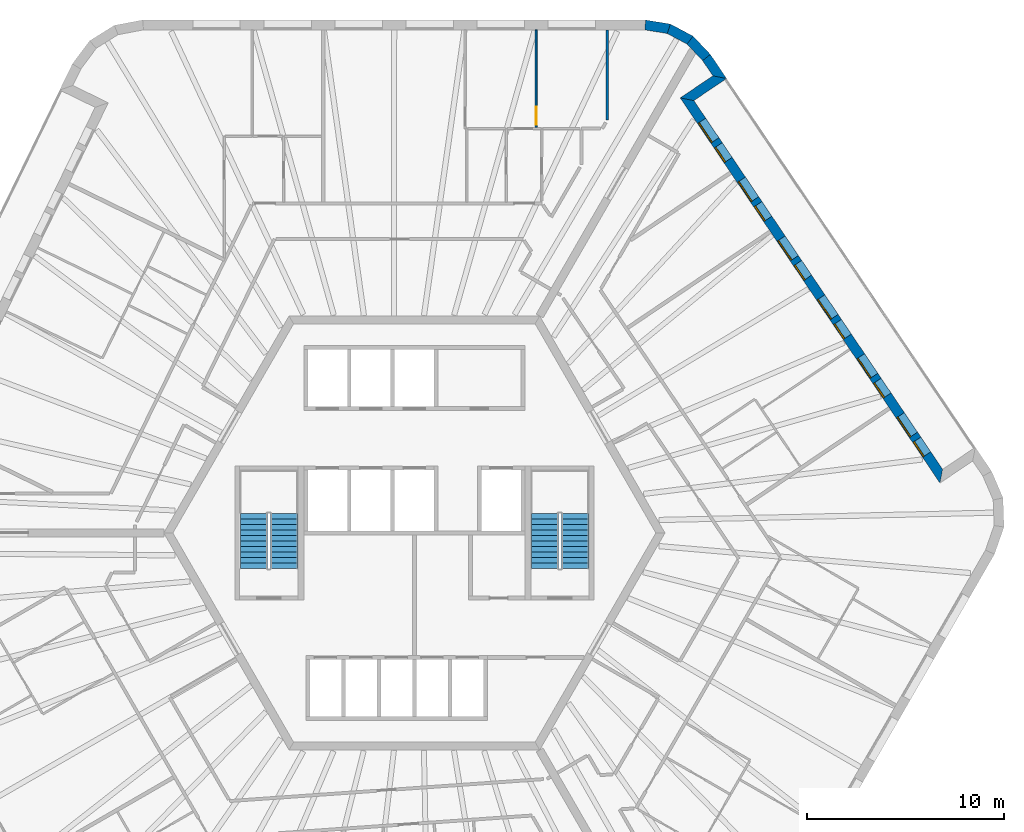
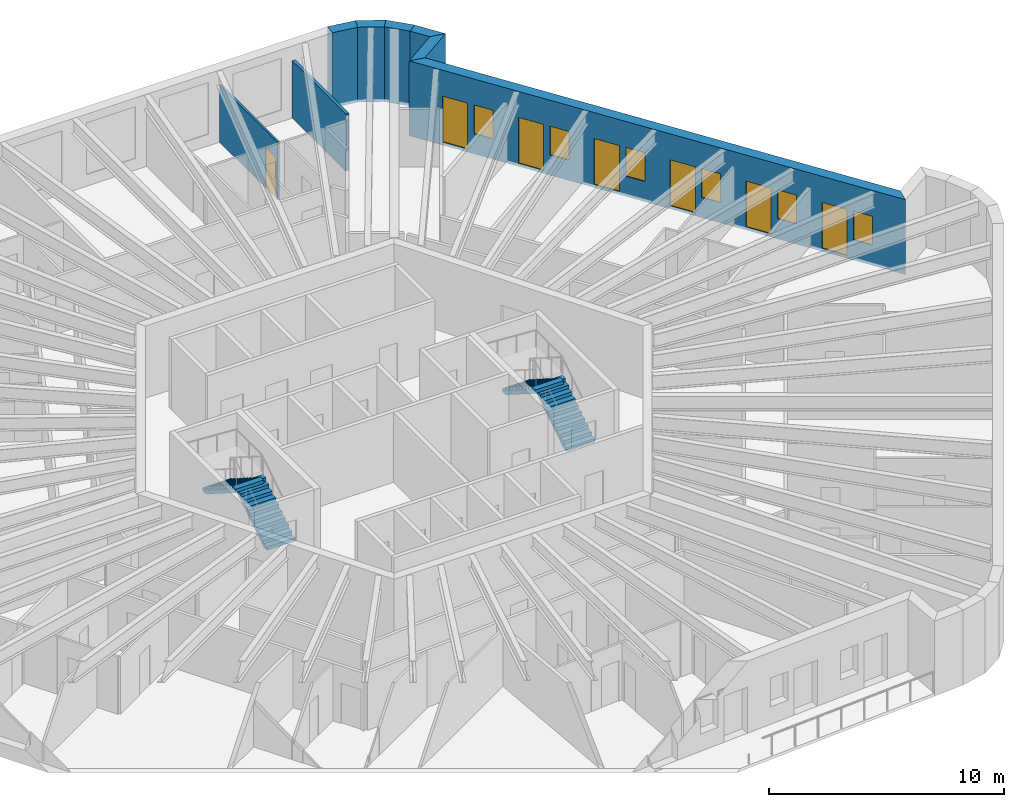
# One storey, part 11 of 12: 8 walls, 7 doors, 6 windows, 4 stair flights, 13 openings, 2 elements without a shape of their own.
"""IFC4 building model written with IfcOpenShell, lengths in metres."""

import ifcopenshell
import ifcopenshell.guid

model = None  # the IFC model being written
_history = None  # IfcOwnerHistory: only IFC2X3 demands one
_inside = {}  # id of a spatial element -> (the spatial element, [elements in it])
_under = {}  # id of a project, library or spatial element -> (it, [spatial elements below it])
_declared = {}  # id of a project -> (the project, [libraries it declares])
_typed = {}  # id of a type object -> (the type object, [elements of that type])
_made_of = {}  # id of a material, layer set ... -> (it, [elements and type objects made of it])


def new_model(schema):
    """Start an empty IFC model of exactly this schema.

    Asked for "IFC4X3", IfcOpenShell would pick the latest addendum, in which some entities
    have other attributes; the version numbers below select the first issue.
    IFC2X3 requires an IfcOwnerHistory on every rooted entity: one is made here for all.
    """
    global model, _history
    if schema == "IFC4X3":
        model = ifcopenshell.file(schema_version=(4, 3, 0, 0))
    else:
        model = ifcopenshell.file(schema=schema)
    _inside.clear()
    _under.clear()
    _declared.clear()
    _typed.clear()
    _made_of.clear()
    _history = None
    if model.schema == "IFC2X3":
        org = make("IfcOrganization", Name="unknown")
        user = make(
            "IfcPersonAndOrganization",
            ThePerson=make("IfcPerson", FamilyName="unknown"),
            TheOrganization=org,
        )
        app = make(
            "IfcApplication",
            ApplicationDeveloper=org,
            Version="unknown",
            ApplicationFullName="unknown",
            ApplicationIdentifier="unknown",
        )
        _history = make(
            "IfcOwnerHistory",
            OwningUser=user,
            OwningApplication=app,
            ChangeAction="ADDED",
            CreationDate=0,
        )
    return model


def make(cls, **values):
    """One entity of the class cls with the attributes given. An attribute that is None is left unset."""
    return model.create_entity(
        cls, **{name: value for name, value in values.items() if value is not None}
    )


def rooted(cls, **values):
    """An entity with a GlobalId (a new one), such as an element, a storey or a relation."""
    return make(cls, GlobalId=ifcopenshell.guid.new(), OwnerHistory=_history, **values)


def si_unit(unit_type, name, prefix=None):
    """IfcSIUnit, for example si_unit("LENGTHUNIT", "METRE", prefix="MILLI")."""
    return make("IfcSIUnit", UnitType=unit_type, Prefix=prefix, Name=name)


def assignment(units):
    """IfcUnitAssignment: the units of a project."""
    return None if units is None else make("IfcUnitAssignment", Units=units)


def point(xyz):
    """IfcCartesianPoint."""
    return None if xyz is None else make("IfcCartesianPoint", Coordinates=xyz)


def direction(xyz):
    """IfcDirection."""
    return None if xyz is None else make("IfcDirection", DirectionRatios=xyz)


def frame(location, z_axis=None, x_axis=None):
    """IfcAxis2Placement3D, a coordinate frame: its origin and axes. An axis left out is left unset."""
    return make(
        "IfcAxis2Placement3D",
        Location=point(location),
        Axis=direction(z_axis),
        RefDirection=direction(x_axis),
    )


def frame_2d(location, x_axis=None):
    """IfcAxis2Placement2D, a coordinate frame in the plane: its origin and x axis."""
    return make(
        "IfcAxis2Placement2D", Location=point(location), RefDirection=direction(x_axis)
    )


def origin():
    """The frame at (0, 0, 0) with its axes left unset."""
    return frame((0.0, 0.0, 0.0))


def place(relative_to, where):
    """IfcLocalPlacement: puts the frame where relative to a parent placement (None: the world)."""
    return make(
        "IfcLocalPlacement", PlacementRelTo=relative_to, RelativePlacement=where
    )


def context(
    kind, dimensions, precision=None, world=None, true_north=None, identifier=None
):
    """IfcGeometricRepresentationContext, for example the 3D "Model" context."""
    return make(
        "IfcGeometricRepresentationContext",
        ContextIdentifier=identifier,
        ContextType=kind,
        CoordinateSpaceDimension=dimensions,
        Precision=precision,
        WorldCoordinateSystem=world,
        TrueNorth=true_north,
    )


def subcontext(parent, identifier, kind, view, scale=None):
    """IfcGeometricRepresentationSubContext, for example "Body" below "Model"."""
    return make(
        "IfcGeometricRepresentationSubContext",
        ContextIdentifier=identifier,
        ContextType=kind,
        ParentContext=parent,
        TargetScale=scale,
        TargetView=view,
    )


def project(units=None, contexts=None):
    """IfcProject with its units and contexts."""
    return rooted(
        "IfcProject",
        Name="project",
        RepresentationContexts=contexts,
        UnitsInContext=assignment(units),
    )


def spatial(cls, under=None, at=None, **own):
    """A site, building, storey or space (cls), placed at a placement, below another one or the project."""
    s = rooted(cls, ObjectPlacement=at, **own)
    if under is not None:
        _under.setdefault(under.id(), (under, []))[1].append(s)
    return s


def polyline(points):
    """IfcPolyline through the points."""
    return make("IfcPolyline", Points=[point(p) for p in points])


def profile(cls, at=None, kind="AREA", **sizes):
    """A parametric profile (cls). Its sizes go by their IFC names, for example OverallWidth=200.0."""
    return make(cls, ProfileType=kind, Position=at, **sizes)


def rectangle(**sizes):
    """IfcRectangleProfileDef."""
    return profile("IfcRectangleProfileDef", **sizes)


def outline(outer, holes=None, kind="AREA"):
    """IfcArbitraryClosedProfileDef: a profile drawn as a closed curve; with holes, ...WithVoids."""
    if holes is None:
        return make("IfcArbitraryClosedProfileDef", ProfileType=kind, OuterCurve=outer)
    return make(
        "IfcArbitraryProfileDefWithVoids",
        ProfileType=kind,
        OuterCurve=outer,
        InnerCurves=holes,
    )


def extrude(swept, where, along, depth):
    """IfcExtrudedAreaSolid: the profile swept, set in the frame where, extruded along a direction by depth."""
    return make(
        "IfcExtrudedAreaSolid",
        SweptArea=swept,
        Position=where,
        ExtrudedDirection=direction(along),
        Depth=depth,
    )


def shape(context_of_items, identifier, shape_type, items):
    """IfcShapeRepresentation: the items that make up one representation, for example the "Body"."""
    return make(
        "IfcShapeRepresentation",
        ContextOfItems=context_of_items,
        RepresentationIdentifier=identifier,
        RepresentationType=shape_type,
        Items=items,
    )


def material(Name=None, Category=None):
    """IfcMaterial."""
    return make("IfcMaterial", Name=Name, Category=Category)


def layer(
    of_material, thickness, ventilated=None, Name=None, Category=None, Priority=None
):
    """IfcMaterialLayer: one layer of a wall or slab, of a material (None: an air gap)."""
    return make(
        "IfcMaterialLayer",
        Material=of_material,
        LayerThickness=thickness,
        IsVentilated=ventilated,
        Name=Name,
        Category=Category,
        Priority=Priority,
    )


def layer_set(layers, Name=None):
    """IfcMaterialLayerSet."""
    return make("IfcMaterialLayerSet", MaterialLayers=layers, LayerSetName=Name)


def made_of(thing, what):
    """Note that an element or type object is made of a material, layer set ...; save() writes the relation."""
    if what is not None:
        _made_of.setdefault(what.id(), (what, []))[1].append(thing)
    return thing


def type_object(cls, material=None, **own):
    """A type object (cls), such as IfcWallType, which elements share."""
    return made_of(rooted(cls, **own), material)


def element(
    cls,
    number,
    at=None,
    inside=None,
    cuts=None,
    type_object=None,
    material=None,
    context=None,
    identifier="Body",
    shape_type=None,
    held_by="IfcProductDefinitionShape",
    body=None,
    shapes=None,
    **own,
):
    """One element of the class cls, such as IfcWall. Its Tag is "e" and its number.

    at: its placement. inside: the storey or other place that contains it. cuts: it is an
    opening in that element (IfcRelVoidsElement). A single representation is given by context,
    identifier, shape_type and body (its items); several are given by shapes. held_by: the class
    of the entity that holds the representations. save() writes the other relations.
    """
    e = rooted(cls, Tag="e%d" % number, ObjectPlacement=at, **own)
    if body is not None:
        shapes = [shape(context, identifier, shape_type, body)]
    if shapes is not None:
        e.Representation = make(held_by, Representations=shapes)
    if inside is not None:
        _inside.setdefault(inside.id(), (inside, []))[1].append(e)
    if cuts is not None:
        rooted(
            "IfcRelVoidsElement", RelatingBuildingElement=cuts, RelatedOpeningElement=e
        )
    if type_object is not None:
        _typed.setdefault(type_object.id(), (type_object, []))[1].append(e)
    return made_of(e, material)


def fill(opening, filler):
    """IfcRelFillsElement: the door or window that sits in an opening."""
    return rooted(
        "IfcRelFillsElement",
        RelatingOpeningElement=opening,
        RelatedBuildingElement=filler,
    )


def aggregate(whole, parts):
    """IfcRelAggregates: a whole, such as a stair, and the parts it consists of."""
    return rooted("IfcRelAggregates", RelatingObject=whole, RelatedObjects=parts)


def save(model, path):
    """Write the relations noted so far, then the file.

    IfcRelAggregates (storeys below a building ...), IfcRelContainedInSpatialStructure (elements
    in a storey), IfcRelDefinesByType, IfcRelAssociatesMaterial and IfcRelDeclares: one each for
    every whole, place, type object, material and project.
    """
    for whole, parts in _under.values():
        aggregate(whole, parts)
    for where, things in _inside.values():
        rooted(
            "IfcRelContainedInSpatialStructure",
            RelatedElements=things,
            RelatingStructure=where,
        )
    for kind, things in _typed.values():
        rooted("IfcRelDefinesByType", RelatedObjects=things, RelatingType=kind)
    for what, things in _made_of.values():
        rooted("IfcRelAssociatesMaterial", RelatedObjects=things, RelatingMaterial=what)
    for by, libraries in _declared.values():
        rooted("IfcRelDeclares", RelatingContext=by, RelatedDefinitions=libraries)
    model.write(path)


model = new_model("IFC4")

# Units and contexts
model_context = context("Model", 3, precision=1e-05, world=origin(), true_north=direction((0.0, 1.0)))
body_context = subcontext(model_context, "Body", "Model", "MODEL_VIEW")
ifc_project = project(units=[si_unit("LENGTHUNIT", "METRE"), si_unit("AREAUNIT", "SQUARE_METRE"), si_unit("VOLUMEUNIT", "CUBIC_METRE"), si_unit("PLANEANGLEUNIT", "RADIAN"), si_unit("MASSUNIT", "GRAM", prefix="KILO")], contexts=[model_context])

# Site, building, storey
site_placement = place(None, origin())
site = spatial("IfcSite", under=ifc_project, at=site_placement, CompositionType="ELEMENT")
building_placement = place(site_placement, origin())
building = spatial("IfcBuilding", under=site, at=building_placement, Name="Tarnside Tower", CompositionType="ELEMENT")
storey_placement = place(building_placement, frame((0.0, 0.0, 322.5)))
storey = spatial("IfcBuildingStorey", under=building, at=storey_placement, Name="L78", CompositionType="ELEMENT", Elevation=322.5)

# Wall
ifc_material_1 = material(Name="Gypsum board partition on steel studs", Category="steel")
ifc_layer_1 = layer(ifc_material_1, 0.14990234375)
ifc_layer_set_1 = layer_set([ifc_layer_1], Name="Corridor wall 150 EI 60")
wall_type_1 = type_object("IfcWallType", Name="Corridor wall 150 EI 60", PredefinedType="PARTITIONING", material=ifc_layer_set_1)
wall_1_placement = place(storey_placement, frame((9.775146484375, 25.5, 0.0), z_axis=(0.0, 0.0, 1.0), x_axis=(0.0, -1.0, 0.0)))
element("IfcWall", 1, at=wall_1_placement, inside=storey, type_object=wall_type_1, Name="Corridor wall 25004", PredefinedType="PARTITIONING", context=body_context, shape_type="SweptSolid", body=[
    extrude(rectangle(XDim=4.56884765625, YDim=0.14990234375, at=frame_2d((2.284423828125, 0.0))), origin(), (0.0, 0.0, 1.0), 2.98779296875),
])

# Wall, openings, doors, windows
ifc_material_2 = material(Name="Dark zinc cladding")
ifc_layer_2 = layer(ifc_material_2, 0.10205078125)
ifc_material_3 = material(Name="Concrete C60/75 precast", Category="concrete")
ifc_layer_3 = layer(ifc_material_3, 0.298095703125)
ifc_material_4 = material(Name="Mineral wool insulation")
ifc_layer_4 = layer(ifc_material_4, 0.10009765625)
ifc_layer_set_2 = layer_set([ifc_layer_2, ifc_layer_3, ifc_layer_4], Name="Loggia wall 500 zinc faced")
wall_type_2 = type_object("IfcWallType", Name="Loggia wall 500 zinc faced", PredefinedType="SOLIDWALL", material=ifc_layer_set_2)
wall_2_placement = place(storey_placement, frame((26.705810546875, 2.87890625, -0.14990234375), z_axis=(0.0, 0.0, 1.0), x_axis=(-0.559197891507, 0.829034208061, 0.0)))
wall_2 = element("IfcWall", 2, at=wall_2_placement, inside=storey, type_object=wall_type_2, Name="Tube wall L78 F6 back 30", PredefinedType="SOLIDWALL", context=body_context, shape_type="SweptSolid", body=[
    extrude(outline(polyline([(0.25, -0.25), (22.794677734375, -0.25), (23.294677734375, 0.25), (-0.25, 0.25), (0.25, -0.25)])), origin(), (0.0, 0.0, 1.0), 3.89990234375),
])
opening_1_placement = place(wall_2_placement, frame((1.322509765625, 0.0, 1.050048828125)))
opening_1 = element("IfcOpeningElement", 3, at=opening_1_placement, cuts=wall_2, Name="Opening WL500", PredefinedType="OPENING", context=body_context, shape_type="SweptSolid", body=[
    extrude(rectangle(XDim=0.89990234375, YDim=1.5, at=frame_2d((0.449951171875, 0.75))), frame((0.0, 0.260009765625, 0.0), z_axis=(0.0, -1.0, 0.0), x_axis=(1.0, 0.0, 0.0)), (0.0, 0.0, 1.0), 0.52001953125),
])
opening_2_placement = place(wall_2_placement, frame((2.5224609375, 0.0, 0.14990234375)))
opening_2 = element("IfcOpeningElement", 4, at=opening_2_placement, cuts=wall_2, Name="Opening DB500", PredefinedType="OPENING", context=body_context, shape_type="SweptSolid", body=[
    extrude(rectangle(XDim=1.199951171875, YDim=2.39990234375, at=frame_2d((0.60009765625, 1.199951171875))), frame((0.0, 0.260009765625, 0.0), z_axis=(0.0, -1.0, 0.0), x_axis=(1.0, 0.0, 0.0)), (0.0, 0.0, 1.0), 0.52001953125),
])
opening_3_placement = place(wall_2_placement, frame((4.92236328125, 0.0, 1.050048828125)))
opening_3 = element("IfcOpeningElement", 5, at=opening_3_placement, cuts=wall_2, Name="Opening WL500", PredefinedType="OPENING", context=body_context, shape_type="SweptSolid", body=[
    extrude(rectangle(XDim=0.89990234375, YDim=1.5, at=frame_2d((0.449951171875, 0.75))), frame((0.0, 0.260009765625, 0.0), z_axis=(0.0, -1.0, 0.0), x_axis=(1.0, 0.0, 0.0)), (0.0, 0.0, 1.0), 0.52001953125),
])
opening_4_placement = place(wall_2_placement, frame((6.122314453125, 0.0, 0.14990234375)))
opening_4 = element("IfcOpeningElement", 6, at=opening_4_placement, cuts=wall_2, Name="Opening DB500", PredefinedType="OPENING", context=body_context, shape_type="SweptSolid", body=[
    extrude(rectangle(XDim=1.199951171875, YDim=2.39990234375, at=frame_2d((0.60009765625, 1.199951171875))), frame((0.0, 0.260009765625, 0.0), z_axis=(0.0, -1.0, 0.0), x_axis=(1.0, 0.0, 0.0)), (0.0, 0.0, 1.0), 0.52001953125),
])
opening_5_placement = place(wall_2_placement, frame((8.5224609375, 0.0, 1.050048828125)))
opening_5 = element("IfcOpeningElement", 7, at=opening_5_placement, cuts=wall_2, Name="Opening WL500", PredefinedType="OPENING", context=body_context, shape_type="SweptSolid", body=[
    extrude(rectangle(XDim=0.89990234375, YDim=1.5, at=frame_2d((0.449951171875, 0.75))), frame((0.0, 0.260009765625, 0.0), z_axis=(0.0, -1.0, 0.0), x_axis=(1.0, 0.0, 0.0)), (0.0, 0.0, 1.0), 0.52001953125),
])
opening_6_placement = place(wall_2_placement, frame((9.722412109375, 0.0, 0.14990234375)))
opening_6 = element("IfcOpeningElement", 8, at=opening_6_placement, cuts=wall_2, Name="Opening DB500", PredefinedType="OPENING", context=body_context, shape_type="SweptSolid", body=[
    extrude(rectangle(XDim=1.199951171875, YDim=2.39990234375, at=frame_2d((0.60009765625, 1.199951171875))), frame((0.0, 0.260009765625, 0.0), z_axis=(0.0, -1.0, 0.0), x_axis=(1.0, 0.0, 0.0)), (0.0, 0.0, 1.0), 0.52001953125),
])
opening_7_placement = place(wall_2_placement, frame((12.122314453125, 0.0, 1.050048828125)))
opening_7 = element("IfcOpeningElement", 9, at=opening_7_placement, cuts=wall_2, Name="Opening WL500", PredefinedType="OPENING", context=body_context, shape_type="SweptSolid", body=[
    extrude(rectangle(XDim=0.89990234375, YDim=1.5, at=frame_2d((0.449951171875, 0.75))), frame((0.0, 0.260009765625, 0.0), z_axis=(0.0, -1.0, 0.0), x_axis=(1.0, 0.0, 0.0)), (0.0, 0.0, 1.0), 0.52001953125),
])
opening_8_placement = place(wall_2_placement, frame((13.322509765625, 0.0, 0.14990234375)))
opening_8 = element("IfcOpeningElement", 10, at=opening_8_placement, cuts=wall_2, Name="Opening DB500", PredefinedType="OPENING", context=body_context, shape_type="SweptSolid", body=[
    extrude(rectangle(XDim=1.199951171875, YDim=2.39990234375, at=frame_2d((0.60009765625, 1.199951171875))), frame((0.0, 0.260009765625, 0.0), z_axis=(0.0, -1.0, 0.0), x_axis=(1.0, 0.0, 0.0)), (0.0, 0.0, 1.0), 0.52001953125),
])
opening_9_placement = place(wall_2_placement, frame((15.722412109375, 0.0, 1.050048828125)))
opening_9 = element("IfcOpeningElement", 11, at=opening_9_placement, cuts=wall_2, Name="Opening WL500", PredefinedType="OPENING", context=body_context, shape_type="SweptSolid", body=[
    extrude(rectangle(XDim=0.89990234375, YDim=1.5, at=frame_2d((0.449951171875, 0.75))), frame((0.0, 0.260009765625, 0.0), z_axis=(0.0, -1.0, 0.0), x_axis=(1.0, 0.0, 0.0)), (0.0, 0.0, 1.0), 0.52001953125),
])
opening_10_placement = place(wall_2_placement, frame((16.92236328125, 0.0, 0.14990234375)))
opening_10 = element("IfcOpeningElement", 12, at=opening_10_placement, cuts=wall_2, Name="Opening DB500", PredefinedType="OPENING", context=body_context, shape_type="SweptSolid", body=[
    extrude(rectangle(XDim=1.199951171875, YDim=2.39990234375, at=frame_2d((0.60009765625, 1.199951171875))), frame((0.0, 0.260009765625, 0.0), z_axis=(0.0, -1.0, 0.0), x_axis=(1.0, 0.0, 0.0)), (0.0, 0.0, 1.0), 0.52001953125),
])
opening_11_placement = place(wall_2_placement, frame((19.322509765625, 0.0, 1.050048828125)))
opening_11 = element("IfcOpeningElement", 13, at=opening_11_placement, cuts=wall_2, Name="Opening WL500", PredefinedType="OPENING", context=body_context, shape_type="SweptSolid", body=[
    extrude(rectangle(XDim=0.89990234375, YDim=1.5, at=frame_2d((0.449951171875, 0.75))), frame((0.0, 0.260009765625, 0.0), z_axis=(0.0, -1.0, 0.0), x_axis=(1.0, 0.0, 0.0)), (0.0, 0.0, 1.0), 0.52001953125),
])
opening_12_placement = place(wall_2_placement, frame((20.5224609375, 0.0, 0.14990234375)))
opening_12 = element("IfcOpeningElement", 14, at=opening_12_placement, cuts=wall_2, Name="Opening DB500", PredefinedType="OPENING", context=body_context, shape_type="SweptSolid", body=[
    extrude(rectangle(XDim=1.199951171875, YDim=2.39990234375, at=frame_2d((0.60009765625, 1.199951171875))), frame((0.0, 0.260009765625, 0.0), z_axis=(0.0, -1.0, 0.0), x_axis=(1.0, 0.0, 0.0)), (0.0, 0.0, 1.0), 0.52001953125),
])
ifc_material_5 = material(Name="Aluminium-framed double glazing", Category="aluminium")
door_type_1 = type_object("IfcDoorType", Name="Balcony sliding door 1200 x 2400 in 500 wall", OperationType="SLIDING_TO_LEFT", PredefinedType="DOOR", material=ifc_material_5)
door_1_placement = place(opening_2_placement, frame((0.0, 0.1748046875, 0.0)))
door_1 = element("IfcDoor", 15, at=door_1_placement, inside=storey, type_object=door_type_1, Name="E.BD.L78.F6.00", OperationType="SLIDING_TO_LEFT", OverallHeight=2.39990234375, OverallWidth=1.199951171875, PredefinedType="DOOR", context=body_context, shape_type="SweptSolid", body=[
    extrude(rectangle(XDim=1.199951171875, YDim=2.39990234375, at=frame_2d((0.60009765625, 1.199951171875))), frame((0.0, 0.02490234375, 0.0), z_axis=(0.0, -1.0, 0.0), x_axis=(1.0, 0.0, 0.0)), (0.0, 0.0, 1.0), 0.050048828125),
])
fill(opening_2, door_1)
door_2_placement = place(opening_4_placement, frame((0.0, 0.1748046875, 0.0)))
door_2 = element("IfcDoor", 16, at=door_2_placement, inside=storey, type_object=door_type_1, Name="E.BD.L78.F6.01", OperationType="SLIDING_TO_LEFT", OverallHeight=2.39990234375, OverallWidth=1.199951171875, PredefinedType="DOOR", context=body_context, shape_type="SweptSolid", body=[
    extrude(rectangle(XDim=1.199951171875, YDim=2.39990234375, at=frame_2d((0.60009765625, 1.199951171875))), frame((0.0, 0.02490234375, 0.0), z_axis=(0.0, -1.0, 0.0), x_axis=(1.0, 0.0, 0.0)), (0.0, 0.0, 1.0), 0.050048828125),
])
fill(opening_4, door_2)
door_3_placement = place(opening_6_placement, frame((0.0, 0.1748046875, 0.0)))
door_3 = element("IfcDoor", 17, at=door_3_placement, inside=storey, type_object=door_type_1, Name="E.BD.L78.F6.02", OperationType="SLIDING_TO_LEFT", OverallHeight=2.39990234375, OverallWidth=1.199951171875, PredefinedType="DOOR", context=body_context, shape_type="SweptSolid", body=[
    extrude(rectangle(XDim=1.199951171875, YDim=2.39990234375, at=frame_2d((0.60009765625, 1.199951171875))), frame((0.0, 0.02490234375, 0.0), z_axis=(0.0, -1.0, 0.0), x_axis=(1.0, 0.0, 0.0)), (0.0, 0.0, 1.0), 0.050048828125),
])
fill(opening_6, door_3)
door_4_placement = place(opening_8_placement, frame((0.0, 0.1748046875, 0.0)))
door_4 = element("IfcDoor", 18, at=door_4_placement, inside=storey, type_object=door_type_1, Name="E.BD.L78.F6.03", OperationType="SLIDING_TO_LEFT", OverallHeight=2.39990234375, OverallWidth=1.199951171875, PredefinedType="DOOR", context=body_context, shape_type="SweptSolid", body=[
    extrude(rectangle(XDim=1.199951171875, YDim=2.39990234375, at=frame_2d((0.60009765625, 1.199951171875))), frame((0.0, 0.02490234375, 0.0), z_axis=(0.0, -1.0, 0.0), x_axis=(1.0, 0.0, 0.0)), (0.0, 0.0, 1.0), 0.050048828125),
])
fill(opening_8, door_4)
door_5_placement = place(opening_10_placement, frame((0.0, 0.1748046875, 0.0)))
door_5 = element("IfcDoor", 19, at=door_5_placement, inside=storey, type_object=door_type_1, Name="E.BD.L78.F6.04", OperationType="SLIDING_TO_LEFT", OverallHeight=2.39990234375, OverallWidth=1.199951171875, PredefinedType="DOOR", context=body_context, shape_type="SweptSolid", body=[
    extrude(rectangle(XDim=1.199951171875, YDim=2.39990234375, at=frame_2d((0.60009765625, 1.199951171875))), frame((0.0, 0.02490234375, 0.0), z_axis=(0.0, -1.0, 0.0), x_axis=(1.0, 0.0, 0.0)), (0.0, 0.0, 1.0), 0.050048828125),
])
fill(opening_10, door_5)
door_6_placement = place(opening_12_placement, frame((0.0, 0.1748046875, 0.0)))
door_6 = element("IfcDoor", 20, at=door_6_placement, inside=storey, type_object=door_type_1, Name="E.BD.L78.F6.05", OperationType="SLIDING_TO_LEFT", OverallHeight=2.39990234375, OverallWidth=1.199951171875, PredefinedType="DOOR", context=body_context, shape_type="SweptSolid", body=[
    extrude(rectangle(XDim=1.199951171875, YDim=2.39990234375, at=frame_2d((0.60009765625, 1.199951171875))), frame((0.0, 0.02490234375, 0.0), z_axis=(0.0, -1.0, 0.0), x_axis=(1.0, 0.0, 0.0)), (0.0, 0.0, 1.0), 0.050048828125),
])
fill(opening_12, door_6)
window_type = type_object("IfcWindowType", Name="Loggia window 900 x 1500 in 500 wall", PartitioningType="SINGLE_PANEL", PredefinedType="WINDOW", material=ifc_material_5)
window_1_placement = place(opening_1_placement, frame((0.0, 0.179931640625, 0.0)))
window_1 = element("IfcWindow", 21, at=window_1_placement, inside=storey, type_object=window_type, Name="E.LW.L78.F6.00", OverallHeight=1.5, OverallWidth=0.89990234375, PartitioningType="SINGLE_PANEL", PredefinedType="WINDOW", context=body_context, shape_type="SweptSolid", body=[
    extrude(rectangle(XDim=0.89990234375, YDim=1.5, at=frame_2d((0.449951171875, 0.75))), frame((0.0, 0.030029296875, 0.0), z_axis=(0.0, -1.0, 0.0), x_axis=(1.0, 0.0, 0.0)), (0.0, 0.0, 1.0), 0.06005859375),
])
fill(opening_1, window_1)
window_2_placement = place(opening_3_placement, frame((0.0, 0.179931640625, 0.0)))
window_2 = element("IfcWindow", 22, at=window_2_placement, inside=storey, type_object=window_type, Name="E.LW.L78.F6.01", OverallHeight=1.5, OverallWidth=0.89990234375, PartitioningType="SINGLE_PANEL", PredefinedType="WINDOW", context=body_context, shape_type="SweptSolid", body=[
    extrude(rectangle(XDim=0.89990234375, YDim=1.5, at=frame_2d((0.449951171875, 0.75))), frame((0.0, 0.030029296875, 0.0), z_axis=(0.0, -1.0, 0.0), x_axis=(1.0, 0.0, 0.0)), (0.0, 0.0, 1.0), 0.06005859375),
])
fill(opening_3, window_2)
window_3_placement = place(opening_5_placement, frame((0.0, 0.179931640625, 0.0)))
window_3 = element("IfcWindow", 23, at=window_3_placement, inside=storey, type_object=window_type, Name="E.LW.L78.F6.02", OverallHeight=1.5, OverallWidth=0.89990234375, PartitioningType="SINGLE_PANEL", PredefinedType="WINDOW", context=body_context, shape_type="SweptSolid", body=[
    extrude(rectangle(XDim=0.89990234375, YDim=1.5, at=frame_2d((0.449951171875, 0.75))), frame((0.0, 0.030029296875, 0.0), z_axis=(0.0, -1.0, 0.0), x_axis=(1.0, 0.0, 0.0)), (0.0, 0.0, 1.0), 0.06005859375),
])
fill(opening_5, window_3)
window_4_placement = place(opening_7_placement, frame((0.0, 0.179931640625, 0.0)))
window_4 = element("IfcWindow", 24, at=window_4_placement, inside=storey, type_object=window_type, Name="E.LW.L78.F6.03", OverallHeight=1.5, OverallWidth=0.89990234375, PartitioningType="SINGLE_PANEL", PredefinedType="WINDOW", context=body_context, shape_type="SweptSolid", body=[
    extrude(rectangle(XDim=0.89990234375, YDim=1.5, at=frame_2d((0.449951171875, 0.75))), frame((0.0, 0.030029296875, 0.0), z_axis=(0.0, -1.0, 0.0), x_axis=(1.0, 0.0, 0.0)), (0.0, 0.0, 1.0), 0.06005859375),
])
fill(opening_7, window_4)
window_5_placement = place(opening_9_placement, frame((0.0, 0.179931640625, 0.0)))
window_5 = element("IfcWindow", 25, at=window_5_placement, inside=storey, type_object=window_type, Name="E.LW.L78.F6.04", OverallHeight=1.5, OverallWidth=0.89990234375, PartitioningType="SINGLE_PANEL", PredefinedType="WINDOW", context=body_context, shape_type="SweptSolid", body=[
    extrude(rectangle(XDim=0.89990234375, YDim=1.5, at=frame_2d((0.449951171875, 0.75))), frame((0.0, 0.030029296875, 0.0), z_axis=(0.0, -1.0, 0.0), x_axis=(1.0, 0.0, 0.0)), (0.0, 0.0, 1.0), 0.06005859375),
])
fill(opening_9, window_5)
window_6_placement = place(opening_11_placement, frame((0.0, 0.179931640625, 0.0)))
window_6 = element("IfcWindow", 26, at=window_6_placement, inside=storey, type_object=window_type, Name="E.LW.L78.F6.05", OverallHeight=1.5, OverallWidth=0.89990234375, PartitioningType="SINGLE_PANEL", PredefinedType="WINDOW", context=body_context, shape_type="SweptSolid", body=[
    extrude(rectangle(XDim=0.89990234375, YDim=1.5, at=frame_2d((0.449951171875, 0.75))), frame((0.0, 0.030029296875, 0.0), z_axis=(0.0, -1.0, 0.0), x_axis=(1.0, 0.0, 0.0)), (0.0, 0.0, 1.0), 0.06005859375),
])
fill(opening_11, window_6)

# Walls
wall_3_placement = place(storey_placement, frame((13.8193359375, 21.983642578125, -0.14990234375), z_axis=(0.0, 0.0, 1.0), x_axis=(0.829052389485, 0.559170935841, 0.0)))
element("IfcWall", 27, at=wall_3_placement, inside=storey, type_object=wall_type_2, Name="Tube wall L78 F6 return 31", PredefinedType="SOLIDWALL", context=body_context, shape_type="SweptSolid", body=[
    extrude(outline(polyline([(0.25, -0.25), (2.25, -0.25), (1.75, 0.25), (-0.25, 0.25), (0.25, -0.25)])), origin(), (0.0, 0.0, 1.0), 3.89990234375),
])
wall_4_placement = place(storey_placement, frame((15.4775390625, 23.10205078125, -0.14990234375), z_axis=(0.0, 0.0, 1.0), x_axis=(-0.559245726333, 0.829001940636, 0.0)))
element("IfcWall", 28, at=wall_4_placement, inside=storey, type_object=wall_type_2, Name="Tube wall L78 F6 stub 32", PredefinedType="SOLIDWALL", context=body_context, shape_type="SweptSolid", body=[
    extrude(outline(polyline([(-0.25, -0.25), (1.220703125, -0.25), (1.1796875, 0.25), (0.25, 0.25), (-0.25, -0.25)])), origin(), (0.0, 0.0, 1.0), 3.89990234375),
])

# Wall, opening, door
ifc_layer_5 = layer(ifc_material_1, 0.10009765625)
ifc_layer_set_3 = layer_set([ifc_layer_5], Name="Partition 100")
wall_type_3 = type_object("IfcWallType", Name="Partition 100", PredefinedType="PARTITIONING", material=ifc_layer_set_3)
wall_5_placement = place(storey_placement, frame((6.17529296875, 25.5, 0.0), z_axis=(0.0, 0.0, 1.0), x_axis=(0.0, -1.0, 0.0)))
wall_5 = element("IfcWall", 29, at=wall_5_placement, inside=storey, type_object=wall_type_3, Name="Partition wall 25094", PredefinedType="PARTITIONING", context=body_context, shape_type="SweptSolid", body=[
    extrude(rectangle(XDim=4.949951171875, YDim=0.10009765625, at=frame_2d((2.47509765625, 0.0))), origin(), (0.0, 0.0, 1.0), 2.98779296875),
])
opening_13_placement = place(wall_5_placement, frame((3.89990234375, 0.0, 0.0)))
opening_13 = element("IfcOpeningElement", 30, at=opening_13_placement, cuts=wall_5, Name="Opening D-I1", PredefinedType="OPENING", context=body_context, shape_type="SweptSolid", body=[
    extrude(rectangle(XDim=0.89990234375, YDim=2.10009765625, at=frame_2d((0.449951171875, 1.050048828125))), frame((0.0, 0.06005859375, 0.0), z_axis=(0.0, -1.0, 0.0), x_axis=(1.0, 0.0, 0.0)), (0.0, 0.0, 1.0), 0.1201171875),
])
ifc_material_6 = material(Name="Timber door leaf", Category="wood")
door_type_2 = type_object("IfcDoorType", Name="Internal door 900", OperationType="NOTDEFINED", PredefinedType="DOOR", material=ifc_material_6)
door_7_placement = place(opening_13_placement, origin())
door_7 = element("IfcDoor", 31, at=door_7_placement, inside=storey, type_object=door_type_2, Name="Internal door 25008", OperationType="SINGLE_SWING_RIGHT", OverallHeight=2.10009765625, OverallWidth=0.89990234375, PredefinedType="DOOR", context=body_context, shape_type="SweptSolid", body=[
    extrude(rectangle(XDim=0.89990234375, YDim=2.10009765625, at=frame_2d((0.449951171875, 1.050048828125))), frame((0.0, 0.02490234375, 0.0), z_axis=(0.0, -1.0, 0.0), x_axis=(1.0, 0.0, 0.0)), (0.0, 0.0, 1.0), 0.050048828125),
])
fill(opening_13, door_7)

# Walls
ifc_material_7 = material(Name="Facing brick", Category="masonry")
ifc_layer_6 = layer(ifc_material_7, 0.10205078125)
ifc_layer_7 = layer(ifc_material_3, 0.298095703125)
ifc_layer_8 = layer(ifc_material_4, 0.10009765625)
ifc_layer_set_4 = layer_set([ifc_layer_6, ifc_layer_7, ifc_layer_8], Name="Tube wall 500 brick faced")
wall_type_4 = type_object("IfcWallType", Name="Tube wall 500 brick faced", PredefinedType="SOLIDWALL", material=ifc_layer_set_4)
wall_6_placement = place(storey_placement, frame((14.806396484375, 24.096923828125, -0.14990234375), z_axis=(0.0, 0.0, 1.0), x_axis=(-0.686234452793, 0.727380420275, 0.0)))
element("IfcWall", 32, at=wall_6_placement, inside=storey, type_object=wall_type_4, Name="Tube wall L78 F6 chord 33", PredefinedType="SOLIDWALL", context=body_context, shape_type="SweptSolid", body=[
    extrude(outline(polyline([(-0.0205078125, -0.25), (1.25732421875, -0.25), (1.17529296875, 0.25), (0.0205078125, 0.25), (-0.0205078125, -0.25)])), origin(), (0.0, 0.0, 1.0), 3.89990234375),
])
wall_7_placement = place(storey_placement, frame((13.9716796875, 24.981689453125, -0.14990234375), z_axis=(0.0, 0.0, 1.0), x_axis=(-0.882902492938, 0.469556373575, 0.0)))
element("IfcWall", 33, at=wall_7_placement, inside=storey, type_object=wall_type_4, Name="Tube wall L78 F6 chord 34", PredefinedType="SOLIDWALL", context=body_context, shape_type="SweptSolid", body=[
    extrude(outline(polyline([(-0.041015625, -0.25), (1.257080078125, -0.25), (1.175048828125, 0.25), (0.041015625, 0.25), (-0.041015625, -0.25)])), origin(), (0.0, 0.0, 1.0), 3.89990234375),
])
wall_8_placement = place(storey_placement, frame((12.89794921875, 25.552734375, -0.14990234375), z_axis=(0.0, 0.0, 1.0), x_axis=(-0.986765617372, 0.16215306464, 0.0)))
element("IfcWall", 34, at=wall_8_placement, inside=storey, type_object=wall_type_4, Name="Tube wall L78 F6 chord 35", PredefinedType="SOLIDWALL", context=body_context, shape_type="SweptSolid", body=[
    extrude(outline(polyline([(-0.041015625, -0.25), (1.237060546875, -0.25), (1.196044921875, 0.25), (0.041015625, 0.25), (-0.041015625, -0.25)])), origin(), (0.0, 0.0, 1.0), 3.89990234375),
])

# Stair, stair flights
ifc_material_8 = material(Name="Concrete C40/50", Category="concrete")
stair_type = type_object("IfcStairType", Name="Exit stair 1400 clear", PredefinedType="HALF_TURN_STAIR", material=ifc_material_8)
stair_1_placement = place(storey_placement, origin())
stair_1 = element("IfcStair", 35, at=stair_1_placement, inside=storey, type_object=stair_type, Name="L78 Exit stair 1", PredefinedType="HALF_TURN_STAIR")
stair_flight_type = type_object("IfcStairFlightType", Name="Exit stair flight 1400", PredefinedType="STRAIGHT", material=ifc_material_8)
stair_flight_1_placement = place(storey_placement, frame((8.14990234375, -1.800048828125, 0.0), z_axis=(0.0, 0.0, 1.0), x_axis=(0.0, 1.0, 0.0)))
stair_flight_1 = element("IfcStairFlight", 36, at=stair_flight_1_placement, type_object=stair_flight_type, Name="ST1 flight 1", NumberOfRisers=11, NumberOfTreads=10, PredefinedType="STRAIGHT", RiserHeight=0.177272727, TreadLength=0.28, context=body_context, shape_type="SweptSolid", body=[
    extrude(outline(polyline([(0.0, 0.0), (0.0, 0.17724609375), (0.280029296875, 0.17724609375), (0.280029296875, 0.3544921875), (0.56005859375, 0.3544921875), (0.56005859375, 0.53173828125), (0.840087890625, 0.53173828125), (0.840087890625, 0.708984375), (1.1201171875, 0.708984375), (1.1201171875, 0.886474609375), (1.39990234375, 0.886474609375), (1.39990234375, 1.063720703125), (1.679931640625, 1.063720703125), (1.679931640625, 1.240966796875), (1.9599609375, 1.240966796875), (1.9599609375, 1.418212890625), (2.239990234375, 1.418212890625), (2.239990234375, 1.595458984375), (2.52001953125, 1.595458984375), (2.52001953125, 1.772705078125), (2.800048828125, 1.772705078125), (2.800048828125, 1.949951171875), (2.800048828125, 1.59521484375), (0.2802734375, 0.0), (0.0, 0.0)])), frame((0.0, 0.699951171875, 0.0), z_axis=(0.0, -1.0, 0.0), x_axis=(1.0, 0.0, 0.0)), (0.0, 0.0, 1.0), 1.39990234375),
])
stair_flight_2_placement = place(storey_placement, frame((6.60009765625, 1.0, 1.949951171875), z_axis=(0.0, 0.0, 1.0), x_axis=(0.0, -1.0, 0.0)))
stair_flight_2 = element("IfcStairFlight", 37, at=stair_flight_2_placement, type_object=stair_flight_type, Name="ST1 flight 2", NumberOfRisers=11, NumberOfTreads=10, PredefinedType="STRAIGHT", RiserHeight=0.177272727, TreadLength=0.28, context=body_context, shape_type="SweptSolid", body=[
    extrude(outline(polyline([(0.0, 0.0), (0.0, 0.17724609375), (0.280029296875, 0.17724609375), (0.280029296875, 0.3544921875), (0.56005859375, 0.3544921875), (0.56005859375, 0.53173828125), (0.840087890625, 0.53173828125), (0.840087890625, 0.708984375), (1.1201171875, 0.708984375), (1.1201171875, 0.886474609375), (1.39990234375, 0.886474609375), (1.39990234375, 1.063720703125), (1.679931640625, 1.063720703125), (1.679931640625, 1.240966796875), (1.9599609375, 1.240966796875), (1.9599609375, 1.418212890625), (2.239990234375, 1.418212890625), (2.239990234375, 1.595458984375), (2.52001953125, 1.595458984375), (2.52001953125, 1.772705078125), (2.800048828125, 1.772705078125), (2.800048828125, 1.949951171875), (2.800048828125, 1.59521484375), (0.2802734375, 0.0), (0.0, 0.0)])), frame((0.0, 0.699951171875, 0.0), z_axis=(0.0, -1.0, 0.0), x_axis=(1.0, 0.0, 0.0)), (0.0, 0.0, 1.0), 1.39990234375),
])
aggregate(stair_1, [stair_flight_1, stair_flight_2])

stair_2_placement = place(storey_placement, origin())
stair_2 = element("IfcStair", 38, at=stair_2_placement, inside=storey, type_object=stair_type, Name="L78 Exit stair 2", PredefinedType="HALF_TURN_STAIR")
stair_flight_3_placement = place(storey_placement, frame((-6.60009765625, -1.800048828125, 0.0), z_axis=(0.0, 0.0, 1.0), x_axis=(0.0, 1.0, 0.0)))
stair_flight_3 = element("IfcStairFlight", 39, at=stair_flight_3_placement, type_object=stair_flight_type, Name="ST2 flight 1", NumberOfRisers=11, NumberOfTreads=10, PredefinedType="STRAIGHT", RiserHeight=0.177272727, TreadLength=0.28, context=body_context, shape_type="SweptSolid", body=[
    extrude(outline(polyline([(0.0, 0.0), (0.0, 0.17724609375), (0.280029296875, 0.17724609375), (0.280029296875, 0.3544921875), (0.56005859375, 0.3544921875), (0.56005859375, 0.53173828125), (0.840087890625, 0.53173828125), (0.840087890625, 0.708984375), (1.1201171875, 0.708984375), (1.1201171875, 0.886474609375), (1.39990234375, 0.886474609375), (1.39990234375, 1.063720703125), (1.679931640625, 1.063720703125), (1.679931640625, 1.240966796875), (1.9599609375, 1.240966796875), (1.9599609375, 1.418212890625), (2.239990234375, 1.418212890625), (2.239990234375, 1.595458984375), (2.52001953125, 1.595458984375), (2.52001953125, 1.772705078125), (2.800048828125, 1.772705078125), (2.800048828125, 1.949951171875), (2.800048828125, 1.59521484375), (0.2802734375, 0.0), (0.0, 0.0)])), frame((0.0, 0.699951171875, 0.0), z_axis=(0.0, -1.0, 0.0), x_axis=(1.0, 0.0, 0.0)), (0.0, 0.0, 1.0), 1.39990234375),
])
stair_flight_4_placement = place(storey_placement, frame((-8.14990234375, 1.0, 1.949951171875), z_axis=(0.0, 0.0, 1.0), x_axis=(0.0, -1.0, 0.0)))
stair_flight_4 = element("IfcStairFlight", 40, at=stair_flight_4_placement, type_object=stair_flight_type, Name="ST2 flight 2", NumberOfRisers=11, NumberOfTreads=10, PredefinedType="STRAIGHT", RiserHeight=0.177272727, TreadLength=0.28, context=body_context, shape_type="SweptSolid", body=[
    extrude(outline(polyline([(0.0, 0.0), (0.0, 0.17724609375), (0.280029296875, 0.17724609375), (0.280029296875, 0.3544921875), (0.56005859375, 0.3544921875), (0.56005859375, 0.53173828125), (0.840087890625, 0.53173828125), (0.840087890625, 0.708984375), (1.1201171875, 0.708984375), (1.1201171875, 0.886474609375), (1.39990234375, 0.886474609375), (1.39990234375, 1.063720703125), (1.679931640625, 1.063720703125), (1.679931640625, 1.240966796875), (1.9599609375, 1.240966796875), (1.9599609375, 1.418212890625), (2.239990234375, 1.418212890625), (2.239990234375, 1.595458984375), (2.52001953125, 1.595458984375), (2.52001953125, 1.772705078125), (2.800048828125, 1.772705078125), (2.800048828125, 1.949951171875), (2.800048828125, 1.59521484375), (0.2802734375, 0.0), (0.0, 0.0)])), frame((0.0, 0.699951171875, 0.0), z_axis=(0.0, -1.0, 0.0), x_axis=(1.0, 0.0, 0.0)), (0.0, 0.0, 1.0), 1.39990234375),
])
aggregate(stair_2, [stair_flight_3, stair_flight_4])

save(model, "model.ifc")
